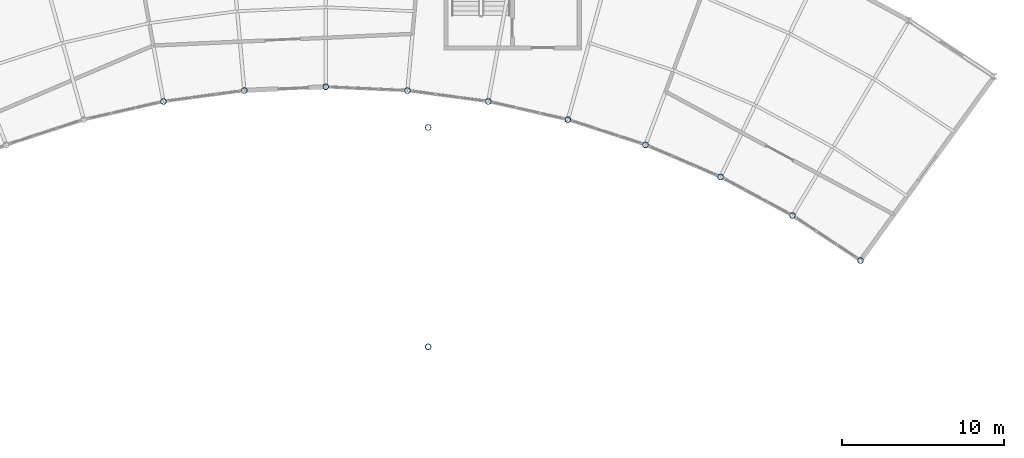
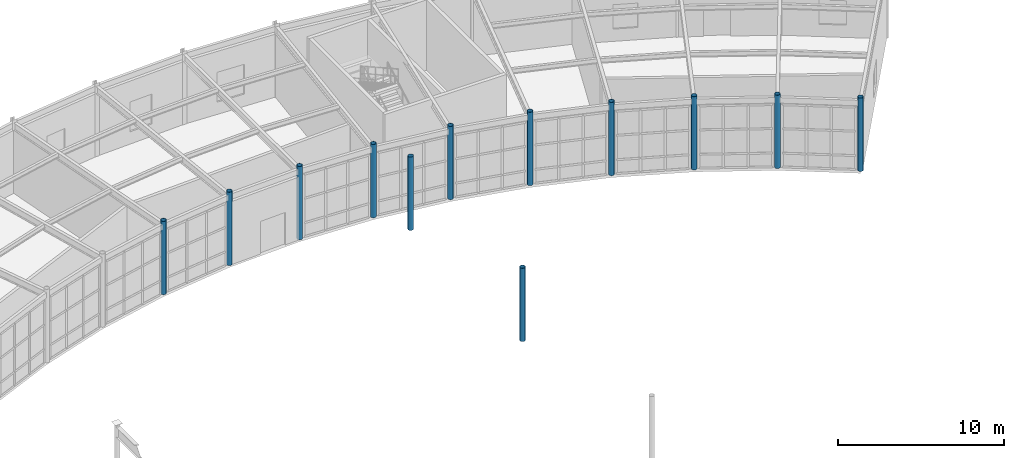
# One storey, part 14 of 87: 12 columns.
"""IFC4 building model written with IfcOpenShell, lengths in metres."""

from ifc_helpers import new_model, si_unit, direction, frame, origin, origin_2d, place, context, subcontext, project, spatial, hollow_circle, extrude, material, material_profile, profile_set, type_object, element, save


model = new_model("IFC4")

# Units and contexts
model_context = context("Model", 3, precision=1e-05, world=origin(), true_north=direction((0.0, 1.0)))
body_context = subcontext(model_context, "Body", "Model", "MODEL_VIEW")
ifc_project = project(units=[si_unit("LENGTHUNIT", "METRE"), si_unit("AREAUNIT", "SQUARE_METRE"), si_unit("VOLUMEUNIT", "CUBIC_METRE"), si_unit("PLANEANGLEUNIT", "RADIAN"), si_unit("MASSUNIT", "GRAM", prefix="KILO")], contexts=[model_context])

# Site, building, storey
site_placement = place(None, origin())
site = spatial("IfcSite", under=ifc_project, at=site_placement, CompositionType="ELEMENT")
building_placement = place(site_placement, origin())
building = spatial("IfcBuilding", under=site, at=building_placement, Name="Selat Folded Stagehouse", CompositionType="ELEMENT")
storey_placement = place(building_placement, origin())
storey = spatial("IfcBuildingStorey", under=building, at=storey_placement, Name="L00", CompositionType="ELEMENT", Elevation=0.0)

# Columns
ifc_material = material(Name="Steel S355", Category="steel")
ifc_material_profile = material_profile(ifc_material, hollow_circle(Radius=0.177734375, WallThickness=0.01611328125, at=origin_2d()), Name="CHS 355.6x16.0")
ifc_profile_set = profile_set([ifc_material_profile], Name="Steel S355")
column_type = type_object("IfcColumnType", Name="COL-CHS-355x16", PredefinedType="COLUMN", material=ifc_profile_set)
for number, where, z_axis, x_axis, name in (
    (1, (82.40087890625, 93.10009765625, 0.0), (0.0, 0.0, 1.0), (1.0, 0.0, 0.0), "L00 column STK-V6IN-05"),
    (2, (87.380126953125, 93.774658203125, 0.0), (0.0, 0.0, 1.0), (1.0, 0.0, 0.0), "L00 column STK-V6IN-06"),
    (3, (92.39990234375, 94.0, 0.0), (0.0, 0.0, 1.0), (1.0, 0.0, 0.0), "L00 column STK-V6IN-07"),
    (4, (97.419921875, 93.774658203125, 0.0), (0.0, 0.0, 1.0), (1.0, 0.0, 0.0), "L00 column STK-V6IN-08"),
    (5, (102.399169921875, 93.10009765625, 0.0), (0.0, 0.0, 1.0), (1.0, 0.0, 0.0), "L00 column STK-V6IN-09"),
    (6, (107.298095703125, 91.98193359375, 0.0), (0.0, 0.0, 1.0), (1.0, 0.0, 0.0), "L00 column STK-V6IN-10"),
    (7, (112.076904296875, 90.42919921875, 0.0), (0.0, 0.0, 1.0), (1.0, 0.0, 0.0), "L00 column STK-V6IN-11"),
    (8, (116.697509765625, 88.454345703125, 0.0), (0.0, 0.0, 1.0), (1.0, 0.0, 0.0), "L00 column STK-V6IN-12"),
    (9, (121.122314453125, 86.072998046875, 0.0), (0.0, 0.0, 1.0), (1.0, 0.0, 0.0), "L00 column STK-V6IN-13"),
    (10, (125.31591796875, 83.304931640625, 0.0), (0.0, 0.0, 1.0), (1.0, 0.0, 0.0), "L00 column STK-V6IN-14"),
    (11, (98.699951171875, 78.0, 0.0), (0.0, 0.0, 1.0), (1.0, 0.0, 0.0), "L00 column STK-BR2-780"),
    (12, (98.699951171875, 91.5, 0.0), (0.0, 0.0, 1.0), (1.0, 0.0, 0.0), "L00 column STK-BR2-915"),
):
    element("IfcColumn", number, at=place(storey_placement, frame(where, z_axis=z_axis, x_axis=x_axis)), inside=storey, type_object=column_type, Name=name, PredefinedType="COLUMN", context=body_context, shape_type="SweptSolid", body=[
        extrude(hollow_circle(Radius=0.177734375, WallThickness=0.01611328125, at=origin_2d()), origin(), (0.0, 0.0, 1.0), 5.39990234375),
    ])

save(model, "model.ifc")
